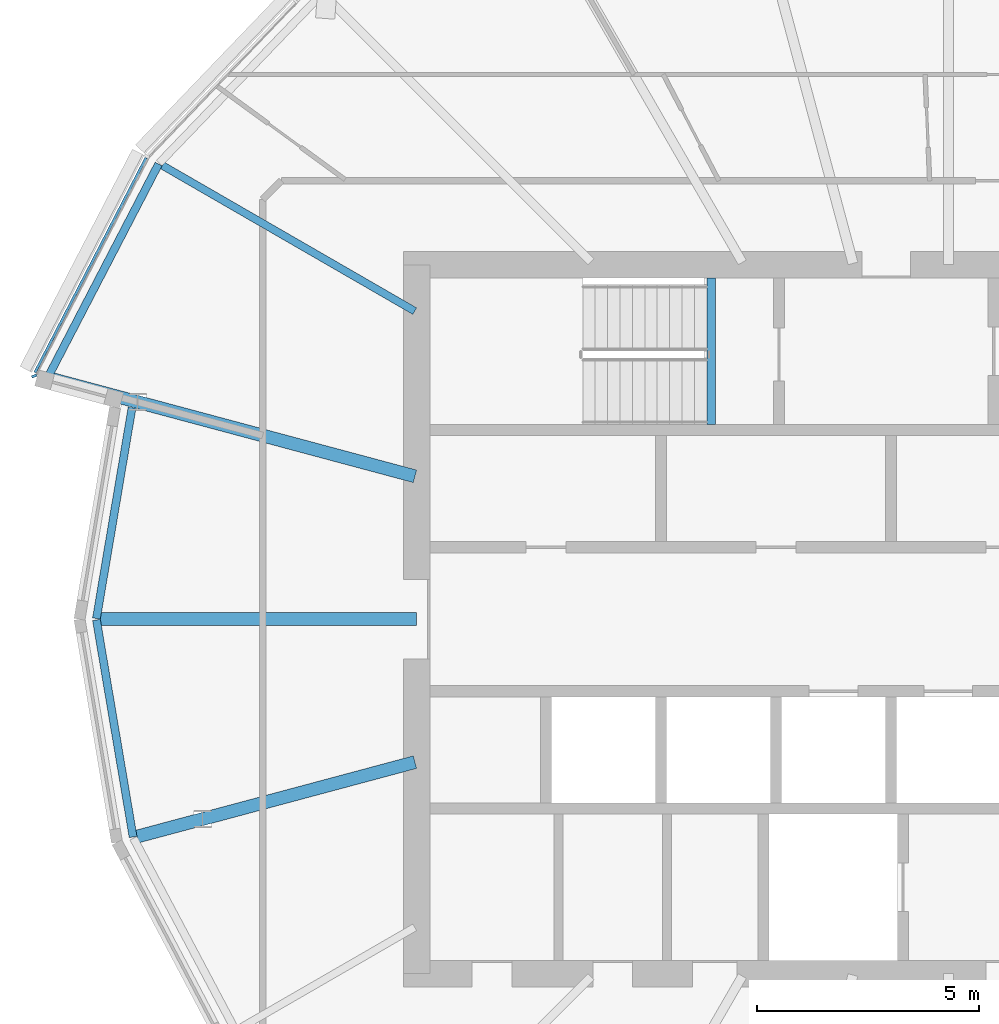
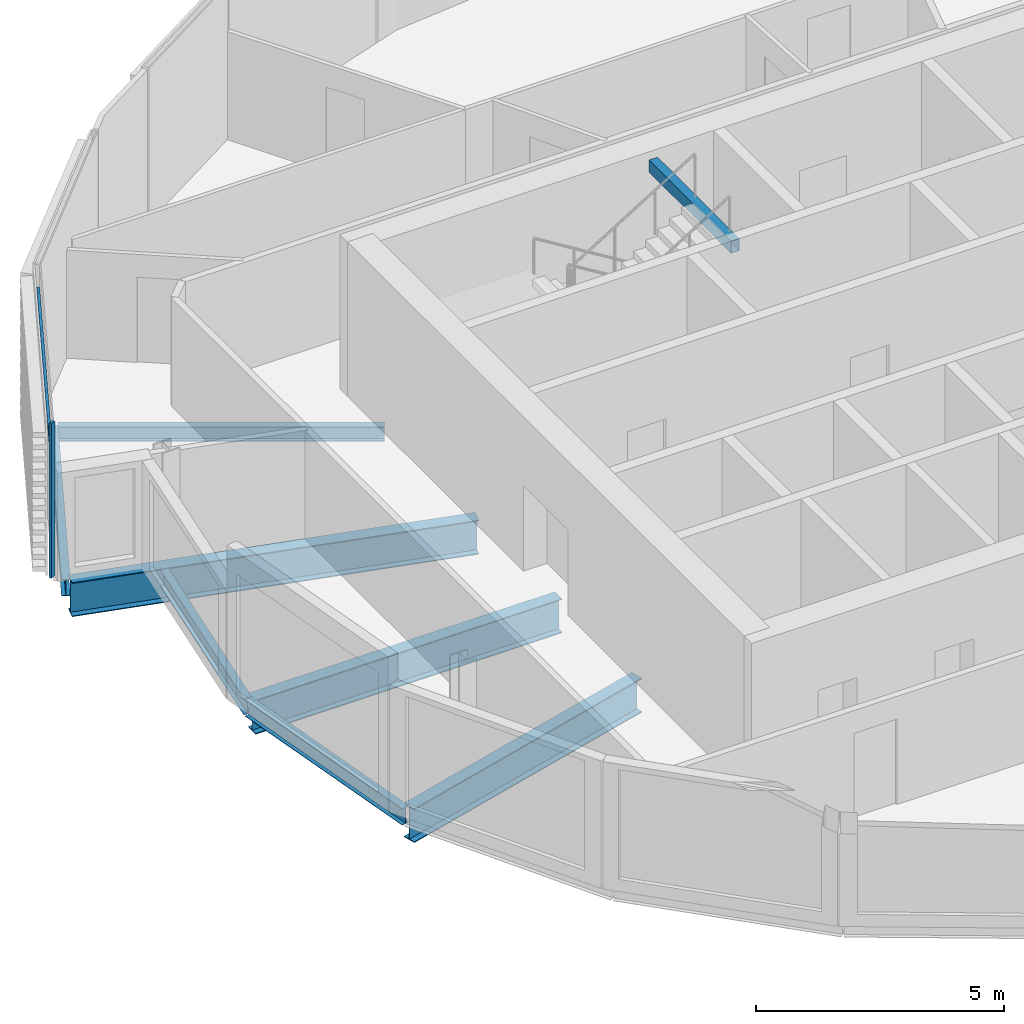
# One storey, part 5 of 36: 8 beams, 2 members, 1 element without a shape of its own.
"""IFC4 building model written with IfcOpenShell, lengths in metres."""

import ifcopenshell
import ifcopenshell.guid

model = None  # the IFC model being written
_history = None  # IfcOwnerHistory: only IFC2X3 demands one
_inside = {}  # id of a spatial element -> (the spatial element, [elements in it])
_under = {}  # id of a project, library or spatial element -> (it, [spatial elements below it])
_declared = {}  # id of a project -> (the project, [libraries it declares])
_typed = {}  # id of a type object -> (the type object, [elements of that type])
_made_of = {}  # id of a material, layer set ... -> (it, [elements and type objects made of it])


def new_model(schema):
    """Start an empty IFC model of exactly this schema.

    Asked for "IFC4X3", IfcOpenShell would pick the latest addendum, in which some entities
    have other attributes; the version numbers below select the first issue.
    IFC2X3 requires an IfcOwnerHistory on every rooted entity: one is made here for all.
    """
    global model, _history
    if schema == "IFC4X3":
        model = ifcopenshell.file(schema_version=(4, 3, 0, 0))
    else:
        model = ifcopenshell.file(schema=schema)
    _inside.clear()
    _under.clear()
    _declared.clear()
    _typed.clear()
    _made_of.clear()
    _history = None
    if model.schema == "IFC2X3":
        org = make("IfcOrganization", Name="unknown")
        user = make(
            "IfcPersonAndOrganization",
            ThePerson=make("IfcPerson", FamilyName="unknown"),
            TheOrganization=org,
        )
        app = make(
            "IfcApplication",
            ApplicationDeveloper=org,
            Version="unknown",
            ApplicationFullName="unknown",
            ApplicationIdentifier="unknown",
        )
        _history = make(
            "IfcOwnerHistory",
            OwningUser=user,
            OwningApplication=app,
            ChangeAction="ADDED",
            CreationDate=0,
        )
    return model


def make(cls, **values):
    """One entity of the class cls with the attributes given. An attribute that is None is left unset."""
    return model.create_entity(
        cls, **{name: value for name, value in values.items() if value is not None}
    )


def rooted(cls, **values):
    """An entity with a GlobalId (a new one), such as an element, a storey or a relation."""
    return make(cls, GlobalId=ifcopenshell.guid.new(), OwnerHistory=_history, **values)


def si_unit(unit_type, name, prefix=None):
    """IfcSIUnit, for example si_unit("LENGTHUNIT", "METRE", prefix="MILLI")."""
    return make("IfcSIUnit", UnitType=unit_type, Prefix=prefix, Name=name)


def assignment(units):
    """IfcUnitAssignment: the units of a project."""
    return None if units is None else make("IfcUnitAssignment", Units=units)


def point(xyz):
    """IfcCartesianPoint."""
    return None if xyz is None else make("IfcCartesianPoint", Coordinates=xyz)


def direction(xyz):
    """IfcDirection."""
    return None if xyz is None else make("IfcDirection", DirectionRatios=xyz)


def frame(location, z_axis=None, x_axis=None):
    """IfcAxis2Placement3D, a coordinate frame: its origin and axes. An axis left out is left unset."""
    return make(
        "IfcAxis2Placement3D",
        Location=point(location),
        Axis=direction(z_axis),
        RefDirection=direction(x_axis),
    )


def frame_2d(location, x_axis=None):
    """IfcAxis2Placement2D, a coordinate frame in the plane: its origin and x axis."""
    return make(
        "IfcAxis2Placement2D", Location=point(location), RefDirection=direction(x_axis)
    )


def origin():
    """The frame at (0, 0, 0) with its axes left unset."""
    return frame((0.0, 0.0, 0.0))


def origin_2d():
    """The frame at (0, 0) in the plane with its x axis left unset."""
    return frame_2d((0.0, 0.0))


def place(relative_to, where):
    """IfcLocalPlacement: puts the frame where relative to a parent placement (None: the world)."""
    return make(
        "IfcLocalPlacement", PlacementRelTo=relative_to, RelativePlacement=where
    )


def context(
    kind, dimensions, precision=None, world=None, true_north=None, identifier=None
):
    """IfcGeometricRepresentationContext, for example the 3D "Model" context."""
    return make(
        "IfcGeometricRepresentationContext",
        ContextIdentifier=identifier,
        ContextType=kind,
        CoordinateSpaceDimension=dimensions,
        Precision=precision,
        WorldCoordinateSystem=world,
        TrueNorth=true_north,
    )


def subcontext(parent, identifier, kind, view, scale=None):
    """IfcGeometricRepresentationSubContext, for example "Body" below "Model"."""
    return make(
        "IfcGeometricRepresentationSubContext",
        ContextIdentifier=identifier,
        ContextType=kind,
        ParentContext=parent,
        TargetScale=scale,
        TargetView=view,
    )


def project(units=None, contexts=None):
    """IfcProject with its units and contexts."""
    return rooted(
        "IfcProject",
        Name="project",
        RepresentationContexts=contexts,
        UnitsInContext=assignment(units),
    )


def spatial(cls, under=None, at=None, **own):
    """A site, building, storey or space (cls), placed at a placement, below another one or the project."""
    s = rooted(cls, ObjectPlacement=at, **own)
    if under is not None:
        _under.setdefault(under.id(), (under, []))[1].append(s)
    return s


def profile(cls, at=None, kind="AREA", **sizes):
    """A parametric profile (cls). Its sizes go by their IFC names, for example OverallWidth=200.0."""
    return make(cls, ProfileType=kind, Position=at, **sizes)


def rectangle(**sizes):
    """IfcRectangleProfileDef."""
    return profile("IfcRectangleProfileDef", **sizes)


def hollow_rectangle(**sizes):
    """IfcRectangleHollowProfileDef."""
    return profile("IfcRectangleHollowProfileDef", **sizes)


def i_section(**sizes):
    """IfcIShapeProfileDef."""
    return profile("IfcIShapeProfileDef", **sizes)


def extrude(swept, where, along, depth):
    """IfcExtrudedAreaSolid: the profile swept, set in the frame where, extruded along a direction by depth."""
    return make(
        "IfcExtrudedAreaSolid",
        SweptArea=swept,
        Position=where,
        ExtrudedDirection=direction(along),
        Depth=depth,
    )


def shape(context_of_items, identifier, shape_type, items):
    """IfcShapeRepresentation: the items that make up one representation, for example the "Body"."""
    return make(
        "IfcShapeRepresentation",
        ContextOfItems=context_of_items,
        RepresentationIdentifier=identifier,
        RepresentationType=shape_type,
        Items=items,
    )


def material(Name=None, Category=None):
    """IfcMaterial."""
    return make("IfcMaterial", Name=Name, Category=Category)


def material_profile(
    of_material, cross_section, Name=None, Category=None, Priority=None
):
    """IfcMaterialProfile: a cross section and its material."""
    return make(
        "IfcMaterialProfile",
        Name=Name,
        Material=of_material,
        Profile=cross_section,
        Priority=Priority,
        Category=Category,
    )


def profile_set(profiles, Name=None, composite=None):
    """IfcMaterialProfileSet."""
    return make(
        "IfcMaterialProfileSet",
        Name=Name,
        MaterialProfiles=profiles,
        CompositeProfile=composite,
    )


def made_of(thing, what):
    """Note that an element or type object is made of a material, layer set ...; save() writes the relation."""
    if what is not None:
        _made_of.setdefault(what.id(), (what, []))[1].append(thing)
    return thing


def type_object(cls, material=None, **own):
    """A type object (cls), such as IfcWallType, which elements share."""
    return made_of(rooted(cls, **own), material)


def element(
    cls,
    number,
    at=None,
    inside=None,
    cuts=None,
    type_object=None,
    material=None,
    context=None,
    identifier="Body",
    shape_type=None,
    held_by="IfcProductDefinitionShape",
    body=None,
    shapes=None,
    **own,
):
    """One element of the class cls, such as IfcWall. Its Tag is "e" and its number.

    at: its placement. inside: the storey or other place that contains it. cuts: it is an
    opening in that element (IfcRelVoidsElement). A single representation is given by context,
    identifier, shape_type and body (its items); several are given by shapes. held_by: the class
    of the entity that holds the representations. save() writes the other relations.
    """
    e = rooted(cls, Tag="e%d" % number, ObjectPlacement=at, **own)
    if body is not None:
        shapes = [shape(context, identifier, shape_type, body)]
    if shapes is not None:
        e.Representation = make(held_by, Representations=shapes)
    if inside is not None:
        _inside.setdefault(inside.id(), (inside, []))[1].append(e)
    if cuts is not None:
        rooted(
            "IfcRelVoidsElement", RelatingBuildingElement=cuts, RelatedOpeningElement=e
        )
    if type_object is not None:
        _typed.setdefault(type_object.id(), (type_object, []))[1].append(e)
    return made_of(e, material)


def aggregate(whole, parts):
    """IfcRelAggregates: a whole, such as a stair, and the parts it consists of."""
    return rooted("IfcRelAggregates", RelatingObject=whole, RelatedObjects=parts)


def save(model, path):
    """Write the relations noted so far, then the file.

    IfcRelAggregates (storeys below a building ...), IfcRelContainedInSpatialStructure (elements
    in a storey), IfcRelDefinesByType, IfcRelAssociatesMaterial and IfcRelDeclares: one each for
    every whole, place, type object, material and project.
    """
    for whole, parts in _under.values():
        aggregate(whole, parts)
    for where, things in _inside.values():
        rooted(
            "IfcRelContainedInSpatialStructure",
            RelatedElements=things,
            RelatingStructure=where,
        )
    for kind, things in _typed.values():
        rooted("IfcRelDefinesByType", RelatedObjects=things, RelatingType=kind)
    for what, things in _made_of.values():
        rooted("IfcRelAssociatesMaterial", RelatedObjects=things, RelatingMaterial=what)
    for by, libraries in _declared.values():
        rooted("IfcRelDeclares", RelatingContext=by, RelatedDefinitions=libraries)
    model.write(path)


model = new_model("IFC4")

# Units and contexts
model_context = context("Model", 3, precision=1e-05, world=origin(), true_north=direction((0.0, 1.0)))
body_context = subcontext(model_context, "Body", "Model", "MODEL_VIEW")
ifc_project = project(units=[si_unit("LENGTHUNIT", "METRE"), si_unit("AREAUNIT", "SQUARE_METRE"), si_unit("VOLUMEUNIT", "CUBIC_METRE"), si_unit("PLANEANGLEUNIT", "RADIAN"), si_unit("MASSUNIT", "GRAM", prefix="KILO")], contexts=[model_context])

# Site, building, storey
site_placement = place(None, origin())
site = spatial("IfcSite", under=ifc_project, at=site_placement, CompositionType="ELEMENT")
building_placement = place(site_placement, origin())
building = spatial("IfcBuilding", under=site, at=building_placement, Name="Rimbun Link Towers", CompositionType="ELEMENT")
storey_placement = place(building_placement, frame((0.0, 0.0, 200.699951171875)))
storey = spatial("IfcBuildingStorey", under=building, at=storey_placement, Name="L49", CompositionType="ELEMENT", Elevation=200.699951171875)

# Curtain wall, members
ifc_material_1 = material(Name="Aluminium 6063-T6 and low-iron glass", Category="aluminium")
curtain_wall_type = type_object("IfcCurtainWallType", Name="CW1-Z3 unitised vision wall (zone 3)", PredefinedType="NOTDEFINED", material=ifc_material_1)
curtain_wall_placement = place(storey_placement, origin())
curtain_wall = element("IfcCurtainWall", 1, at=curtain_wall_placement, inside=storey, type_object=curtain_wall_type, Name="CW1 L49 T1", PredefinedType="NOTDEFINED")
ifc_material_2 = material(Name="Aluminium 6063-T6", Category="aluminium")
ifc_material_profile_1 = material_profile(ifc_material_2, rectangle(XDim=0.1201171875, YDim=0.06005859375, at=origin_2d()), Name="MULLION 60X120")
ifc_profile_set_1 = profile_set([ifc_material_profile_1], Name="Aluminium 6063-T6")
member_type_1 = type_object("IfcMemberType", Name="CW1 mullion 60X120", PredefinedType="MULLION", material=ifc_profile_set_1)
member_1_placement = place(storey_placement, frame((-52.3818359375, 5.4892578125, 0.0), z_axis=(0.0, 0.0, 1.0), x_axis=(-0.914819776986, -0.403862322625, 0.0)))
member_1 = element("IfcMember", 2, at=member_1_placement, type_object=member_type_1, Name="CW1 mullion", PredefinedType="MULLION", context=body_context, shape_type="SweptSolid", body=[
    extrude(rectangle(XDim=0.1201171875, YDim=0.06005859375, at=origin_2d()), origin(), (0.0, 0.0, 1.0), 3.800048828125),
])
ifc_material_3 = material(Name="Aluminium 6063-T6", Category="aluminium")
ifc_material_profile_2 = material_profile(ifc_material_3, rectangle(XDim=0.06005859375, YDim=0.1201171875, at=origin_2d()), Name="TRANSOM 60X120")
ifc_profile_set_2 = profile_set([ifc_material_profile_2], Name="Aluminium 6063-T6")
member_type_2 = type_object("IfcMemberType", Name="CW1 transom 60X120", PredefinedType="USERDEFINED", material=ifc_profile_set_2)
member_2_placement = place(storey_placement, frame((-52.36474609375, 5.56689453125, 3.199951171875), z_axis=(0.459584716145, 0.888133936231, 0.0), x_axis=(-0.888133936231, 0.459584716145, 0.0)))
member_2 = element("IfcMember", 3, at=member_2_placement, type_object=member_type_2, Name="CW1 transom", ObjectType="TRANSOM", PredefinedType="USERDEFINED", context=body_context, shape_type="SweptSolid", body=[
    extrude(rectangle(XDim=0.06005859375, YDim=0.1201171875, at=origin_2d()), origin(), (0.0, 0.0, 1.0), 5.459228515625),
])
aggregate(curtain_wall, [member_1, member_2])

# Beams
ifc_material_4 = material(Name="Steel S355J2", Category="steel")
ifc_material_profile_3 = material_profile(ifc_material_4, hollow_rectangle(XDim=0.199951171875, YDim=0.300048828125, WallThickness=0.011962890625, at=origin_2d()), Name="BOX 300x200x12")
ifc_profile_set_3 = profile_set([ifc_material_profile_3], Name="Steel S355J2")
beam_type_1 = type_object("IfcBeamType", Name="Stair trimmer beam BOX 300x200x12", PredefinedType="BEAM", material=ifc_profile_set_3)
beam_1_placement = place(storey_placement, frame((-37.10009765625, 7.699951171875, 3.449951171875), z_axis=(0.0, -1.0, 0.0), x_axis=(1.0, 0.0, 0.0)))
element("IfcBeam", 4, at=beam_1_placement, inside=storey, type_object=beam_type_1, Name="L49 ST1 stair beam 1", PredefinedType="BEAM", context=body_context, shape_type="SweptSolid", body=[
    extrude(hollow_rectangle(XDim=0.199951171875, YDim=0.300048828125, WallThickness=0.011962890625, at=origin_2d()), origin(), (0.0, 0.0, 1.0), 3.300048828125),
])
ifc_material_5 = material(Name="Steel S355J2", Category="steel")
ifc_material_profile_4 = material_profile(ifc_material_5, i_section(OverallWidth=0.17138671875, OverallDepth=0.35498046875, WebThickness=0.00732421875, FlangeThickness=0.011474609375, at=origin_2d()), Name="UB 356x171x51")
ifc_profile_set_4 = profile_set([ifc_material_profile_4], Name="Steel S355J2")
beam_type_2 = type_object("IfcBeamType", Name="UB 356x171x51", PredefinedType="BEAM", material=ifc_profile_set_4)
beam_2_placement = place(storey_placement, frame((-43.793701171875, 6.95361328125, -0.327392578125), z_axis=(-0.866041549256, 0.49997203418, 0.0), x_axis=(-0.49997203418, -0.866041549256, 0.0)))
element("IfcBeam", 5, at=beam_2_placement, inside=storey, type_object=beam_type_2, Name="Radial beam T1 L49 10", PredefinedType="BEAM", context=body_context, shape_type="SweptSolid", body=[
    extrude(i_section(OverallWidth=0.17138671875, OverallDepth=0.35498046875, WebThickness=0.00732421875, FlangeThickness=0.011474609375, at=origin_2d()), origin(), (0.0, 0.0, 1.0), 6.57666015625),
])
ifc_material_6 = material(Name="Steel S355J2", Category="steel")
ifc_material_profile_5 = material_profile(ifc_material_6, i_section(OverallWidth=0.177978515625, OverallDepth=0.406494140625, WebThickness=0.0078125, FlangeThickness=0.0126953125, at=origin_2d()), Name="UB 406x178x60")
ifc_profile_set_5 = profile_set([ifc_material_profile_5], Name="Steel S355J2")
beam_type_3 = type_object("IfcBeamType", Name="UB 406x178x60", PredefinedType="BEAM", material=ifc_profile_set_5)
beam_3_placement = place(storey_placement, frame((-49.57373046875, 10.274658203125, -0.353271484375), z_axis=(-0.460720742291, -0.887545152442, 0.0), x_axis=(0.887545152442, -0.460720742291, 0.0)))
element("IfcBeam", 6, at=beam_3_placement, inside=storey, type_object=beam_type_3, Name="Edge beam T1 L49 10", PredefinedType="BEAM", context=body_context, shape_type="SweptSolid", body=[
    extrude(i_section(OverallWidth=0.177978515625, OverallDepth=0.406494140625, WebThickness=0.0078125, FlangeThickness=0.0126953125, at=origin_2d()), origin(), (0.0, 0.0, 1.0), 5.43798828125),
])
beam_4_placement = place(storey_placement, frame((-50.17333984375, 4.775390625, -0.353271484375), z_axis=(-0.166555708034, -0.986032046194, 0.0), x_axis=(0.986032046194, -0.166555708034, 0.0)))
element("IfcBeam", 7, at=beam_4_placement, inside=storey, type_object=beam_type_3, Name="Edge beam T1 L49 11 recess", PredefinedType="BEAM", context=body_context, shape_type="SweptSolid", body=[
    extrude(i_section(OverallWidth=0.177978515625, OverallDepth=0.406494140625, WebThickness=0.0078125, FlangeThickness=0.0126953125, at=origin_2d()), origin(), (0.0, 0.0, 1.0), 4.826904296875),
])
beam_5_placement = place(storey_placement, frame((-50.977294921875, -0.015869140625, -0.353271484375), z_axis=(0.166550323315, -0.986032955739, 0.0), x_axis=(0.986032955739, 0.166550323315, 0.0)))
element("IfcBeam", 8, at=beam_5_placement, inside=storey, type_object=beam_type_3, Name="Edge beam T1 L49 12 recess", PredefinedType="BEAM", context=body_context, shape_type="SweptSolid", body=[
    extrude(i_section(OverallWidth=0.177978515625, OverallDepth=0.406494140625, WebThickness=0.0078125, FlangeThickness=0.0126953125, at=origin_2d()), origin(), (0.0, 0.0, 1.0), 4.9677734375),
])
ifc_material_7 = material(Name="Steel S355J2", Category="steel")
ifc_material_profile_6 = material_profile(ifc_material_7, i_section(OverallWidth=0.29248046875, OverallDepth=0.8408203125, WebThickness=0.0126953125, FlangeThickness=0.021728515625, at=origin_2d()), Name="UB 838x292x194")
ifc_profile_set_6 = profile_set([ifc_material_profile_6], Name="Steel S355J2")
beam_type_4 = type_object("IfcBeamType", Name="UB 838x292x194", PredefinedType="BEAM", material=ifc_profile_set_6)
beam_6_placement = place(storey_placement, frame((-43.788818359375, 3.225830078125, -0.5703125), z_axis=(-0.96592405169, 0.258825667906, 0.0), x_axis=(-0.258825667906, -0.96592405169, 0.0)))
element("IfcBeam", 9, at=beam_6_placement, inside=storey, type_object=beam_type_4, Name="Radial beam T1 L49 11", PredefinedType="BEAM", context=body_context, shape_type="SweptSolid", body=[
    extrude(i_section(OverallWidth=0.29248046875, OverallDepth=0.8408203125, WebThickness=0.0126953125, FlangeThickness=0.021728515625, at=origin_2d()), origin(), (0.0, 0.0, 1.0), 8.4912109375),
])
beam_7_placement = place(storey_placement, frame((-43.7509765625, 0.0, -0.5703125), z_axis=(-1.0, 0.0, 0.0), x_axis=(0.0, -1.0, 0.0)))
element("IfcBeam", 10, at=beam_7_placement, inside=storey, type_object=beam_type_4, Name="Radial beam T1 L49 12", PredefinedType="BEAM", context=body_context, shape_type="SweptSolid", body=[
    extrude(i_section(OverallWidth=0.29248046875, OverallDepth=0.8408203125, WebThickness=0.0126953125, FlangeThickness=0.021728515625, at=origin_2d()), origin(), (0.0, 0.0, 1.0), 7.13916015625),
])
beam_8_placement = place(storey_placement, frame((-43.788818359375, -3.225830078125, -0.5703125), z_axis=(-0.965926567568, -0.258816278596, 0.0), x_axis=(0.258816278596, -0.965926567568, 0.0)))
element("IfcBeam", 11, at=beam_8_placement, inside=storey, type_object=beam_type_4, Name="Radial beam T1 L49 13", PredefinedType="BEAM", context=body_context, shape_type="SweptSolid", body=[
    extrude(i_section(OverallWidth=0.29248046875, OverallDepth=0.8408203125, WebThickness=0.0126953125, FlangeThickness=0.021728515625, at=origin_2d()), origin(), (0.0, 0.0, 1.0), 6.49267578125),
])

save(model, "model.ifc")
